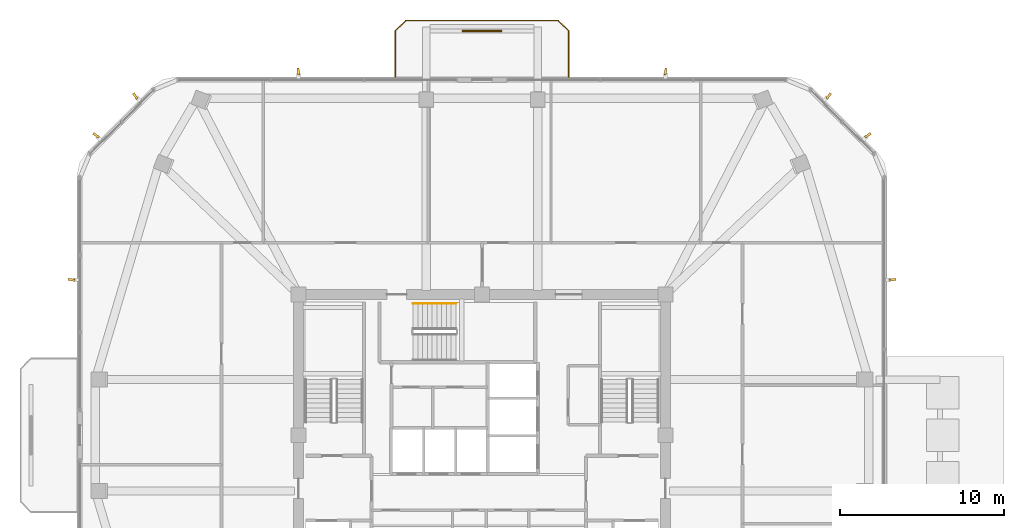
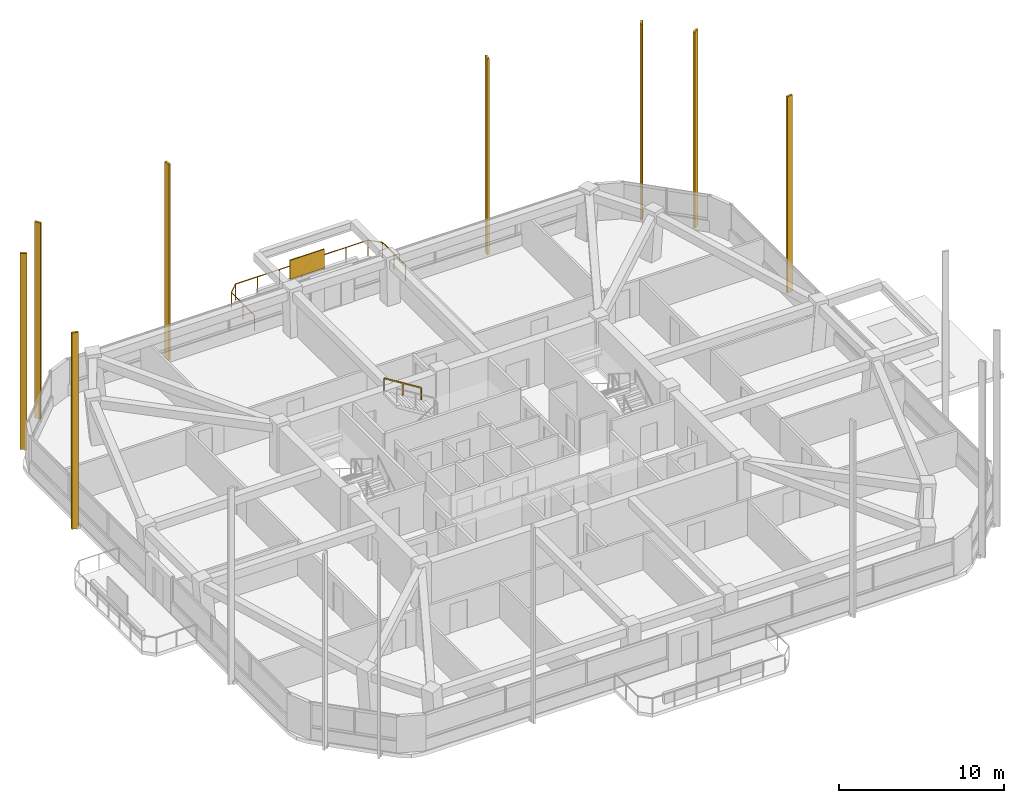
# One storey, part 14 of 14: 9 shading devices, 2 railings.
"""IFC4 building model written with IfcOpenShell, lengths in metres."""

from ifc_helpers import new_model, si_unit, derived_unit, direction, frame, origin, origin_2d, place, context, subcontext, project, spatial, rectangle, extrude, material, layer, layer_set, type_object, element, save


model = new_model("IFC4")

# Units and contexts
model_context = context("Model", 3, precision=1e-05, world=origin(), true_north=direction((0.0, 1.0)))
body_context = subcontext(model_context, "Body", "Model", "MODEL_VIEW")
ifc_project = project(units=[si_unit("LENGTHUNIT", "METRE"), si_unit("AREAUNIT", "SQUARE_METRE"), si_unit("VOLUMEUNIT", "CUBIC_METRE"), si_unit("PLANEANGLEUNIT", "RADIAN"), si_unit("MASSUNIT", "GRAM", prefix="KILO"), derived_unit("THERMALTRANSMITTANCEUNIT", [(si_unit("POWERUNIT", "WATT"), 1), (si_unit("LENGTHUNIT", "METRE"), -2), (si_unit("THERMODYNAMICTEMPERATUREUNIT", "KELVIN"), -1)])], contexts=[model_context])

# Site, building, storey
site_placement = place(None, origin())
site = spatial("IfcSite", under=ifc_project, at=site_placement, CompositionType="ELEMENT")
building_placement = place(site_placement, origin())
building = spatial("IfcBuilding", under=site, at=building_placement, Name="Koralith Skygarden Medical Center", CompositionType="ELEMENT")
storey_placement = place(building_placement, frame((0.0, 0.0, 192.780029296875)))
storey = spatial("IfcBuildingStorey", under=building, at=storey_placement, Name="L49", CompositionType="ELEMENT", Elevation=192.780029296875)

# Shading devices
ifc_material_1 = material(Name="Aluminium 6063-T6", Category="aluminium")
shading_device_type_1 = type_object("IfcShadingDeviceType", Name="Limestone-Clad Solar Storm Fin 420", PredefinedType="USERDEFINED", material=ifc_material_1)
for number, where, z_axis, x_axis, name in (
    (1, (62.053955078125, 35.39404296875, -0.2001953125), (0.0, 0.0, 1.0), (0.987228186291, 0.159312611531, 0.0), "L49 E Harmonic Solar Storm Fin 2"),
    (2, (60.554931640625, 44.208984375, -0.2001953125), (0.0, 0.0, 1.0), (0.824857039439, 0.565341369871, 0.0), "L49 NE Harmonic Solar Storm Fin 1"),
    (3, (58.156982421875, 46.60693359375, -0.2001953125), (0.0, 0.0, 1.0), (0.585424717163, 0.810726773047, 0.0), "L49 NE Harmonic Solar Storm Fin 2"),
    (4, (48.2041015625, 48.10498046875, -0.2001953125), (0.0, 0.0, 1.0), (0.183505289776, 0.983018722418, 0.0), "L49 N Harmonic Solar Storm Fin 1"),
    (5, (25.794921875, 48.10498046875, -0.2001953125), (0.0, 0.0, 1.0), (-0.159312611531, 0.987228186291, 0.0), "L49 N Harmonic Solar Storm Fin 2"),
    (6, (15.842041015625, 46.60595703125, -0.2001953125), (0.0, 0.0, 1.0), (-0.565341369871, 0.824857039439, 0.0), "L49 NW Harmonic Solar Storm Fin 1"),
    (7, (13.444091796875, 44.2080078125, -0.2001953125), (0.0, 0.0, 1.0), (-0.810726773047, 0.585424717163, 0.0), "L49 NW Harmonic Solar Storm Fin 2"),
    (8, (11.946044921875, 35.39404296875, -0.2001953125), (0.0, 0.0, 1.0), (-0.983018722418, 0.183505289776, 0.0), "L49 W Harmonic Solar Storm Fin 1"),
):
    element("IfcShadingDevice", number, at=place(storey_placement, frame(where, z_axis=z_axis, x_axis=x_axis)), inside=storey, type_object=shading_device_type_1, Name=name, ObjectType="SOLAR FIN", PredefinedType="USERDEFINED", context=body_context, shape_type="SweptSolid", body=[
        extrude(rectangle(XDim=0.419921875, YDim=0.139892578125, at=origin_2d()), origin(), (0.0, 0.0, 1.0), 14.550048828125),
    ])

# Railing
ifc_material_2 = material(Name="Steel ASTM A500 Grade C", Category="steel")
railing_type_1 = type_object("IfcRailingType", Name="Outdoor Terrace & Balcony Safety Guardrail 1180", PredefinedType="GUARDRAIL", material=ifc_material_2)
railing_1_placement = place(storey_placement, frame((42.300048828125, 47.77490234375, 0.0)))
element("IfcRailing", 9, at=railing_1_placement, inside=storey, type_object=railing_type_1, Name="L49 N Balcony Perimeter Guardrail", PredefinedType="GUARDRAIL", context=body_context, shape_type="SweptSolid", body=[
    extrude(rectangle(XDim=0.050048828125, YDim=0.050048828125, at=origin_2d()), frame((0.0, 0.001953125, 1.15478515625), z_axis=(0.0, 1.0, 0.0), x_axis=(-1.0, 0.0, 0.0)), (0.0, 0.0, 1.0), 2.796142578125),
    extrude(rectangle(XDim=0.050048828125, YDim=0.050048828125, at=origin_2d()), frame((-0.00146484375, 2.801513671875, 1.15478515625), z_axis=(-0.707106781187, 0.707106781187, 0.0), x_axis=(-0.707106781187, -0.707106781187, 0.0)), (0.0, 0.0, 1.0), 0.91552734375),
    extrude(rectangle(XDim=0.050048828125, YDim=0.050048828125, at=origin_2d()), frame((-0.652099609375, 3.4501953125, 1.15478515625), z_axis=(-1.0, 0.0, 0.0), x_axis=(0.0, -1.0, 0.0)), (0.0, 0.0, 1.0), 9.2958984375),
    extrude(rectangle(XDim=0.050048828125, YDim=0.050048828125, at=origin_2d()), frame((-9.951416015625, 3.44873046875, 1.15478515625), z_axis=(-0.707106781187, -0.707106781187, 0.0), x_axis=(0.707106781187, -0.707106781187, 0.0)), (0.0, 0.0, 1.0), 0.91552734375),
    extrude(rectangle(XDim=0.050048828125, YDim=0.050048828125, at=origin_2d()), frame((-10.60009765625, 2.798095703125, 1.15478515625), z_axis=(0.0, -1.0, 0.0), x_axis=(1.0, 0.0, 0.0)), (0.0, 0.0, 1.0), 2.796142578125),
    extrude(rectangle(XDim=0.0419921875, YDim=0.0419921875, at=origin_2d()), origin(), (0.0, 0.0, 1.0), 1.1279296875),
    extrude(rectangle(XDim=0.0419921875, YDim=0.0419921875, at=origin_2d()), frame((0.0, 1.39990234375, 0.0)), (0.0, 0.0, 1.0), 1.1279296875),
    extrude(rectangle(XDim=0.0419921875, YDim=0.0419921875, at=origin_2d()), frame((0.0, 2.800048828125, 0.0)), (0.0, 0.0, 1.0), 1.1279296875),
    extrude(rectangle(XDim=0.0419921875, YDim=0.0419921875, at=origin_2d()), frame((-0.650146484375, 3.4501953125, 0.0)), (0.0, 0.0, 1.0), 1.1279296875),
    extrude(rectangle(XDim=0.0419921875, YDim=0.0419921875, at=origin_2d()), frame((-2.2001953125, 3.4501953125, 0.0)), (0.0, 0.0, 1.0), 1.1279296875),
    extrude(rectangle(XDim=0.0419921875, YDim=0.0419921875, at=origin_2d()), frame((-3.75, 3.4501953125, 0.0)), (0.0, 0.0, 1.0), 1.1279296875),
    extrude(rectangle(XDim=0.0419921875, YDim=0.0419921875, at=origin_2d()), frame((-5.300048828125, 3.4501953125, 0.0)), (0.0, 0.0, 1.0), 1.1279296875),
    extrude(rectangle(XDim=0.0419921875, YDim=0.0419921875, at=origin_2d()), frame((-6.85009765625, 3.4501953125, 0.0)), (0.0, 0.0, 1.0), 1.1279296875),
    extrude(rectangle(XDim=0.0419921875, YDim=0.0419921875, at=origin_2d()), frame((-8.39990234375, 3.4501953125, 0.0)), (0.0, 0.0, 1.0), 1.1279296875),
    extrude(rectangle(XDim=0.0419921875, YDim=0.0419921875, at=origin_2d()), frame((-9.949951171875, 3.4501953125, 0.0)), (0.0, 0.0, 1.0), 1.1279296875),
    extrude(rectangle(XDim=0.0419921875, YDim=0.0419921875, at=origin_2d()), frame((-10.60009765625, 2.800048828125, 0.0)), (0.0, 0.0, 1.0), 1.1279296875),
    extrude(rectangle(XDim=0.0419921875, YDim=0.0419921875, at=origin_2d()), frame((-10.60009765625, 1.39990234375, 0.0)), (0.0, 0.0, 1.0), 1.1279296875),
    extrude(rectangle(XDim=0.0419921875, YDim=0.0419921875, at=origin_2d()), frame((-10.60009765625, 0.0, 0.0)), (0.0, 0.0, 1.0), 1.1279296875),
])

# Shading device
ifc_layer = layer(ifc_material_1, 0.080078125)
ifc_layer_set = layer_set([ifc_layer], Name="Aluminium 6063-T6")
shading_device_type_2 = type_object("IfcShadingDeviceType", Name="Perforated Biophilic Balcony Trellis Screen", PredefinedType="USERDEFINED", material=ifc_layer_set)
shading_device_placement = place(storey_placement, frame((37.0, 50.574951171875, 0.719970703125), z_axis=(0.0, 0.0, 1.0), x_axis=(1.0, 0.0, 0.0)))
element("IfcShadingDevice", 10, at=shading_device_placement, inside=storey, type_object=shading_device_type_2, Name="L49 N Biophilic Balcony Trellis Screen", ObjectType="HURRICANE SCREEN", PredefinedType="USERDEFINED", context=body_context, shape_type="SweptSolid", body=[
    extrude(rectangle(XDim=2.39990234375, YDim=0.080078125, at=origin_2d()), origin(), (0.0, 0.0, 1.0), 1.39990234375),
])

# Railing
railing_type_2 = type_object("IfcRailingType", Name="Stair Flight Tubular Handrail 920", PredefinedType="HANDRAIL", material=ifc_material_2)
railing_2_placement = place(storey_placement, frame((35.409912109375, 33.949951171875, 1.97998046875)))
element("IfcRailing", 11, at=railing_2_placement, inside=storey, type_object=railing_type_2, Name="L49 ST3 stair handrail 2", PredefinedType="HANDRAIL", context=body_context, shape_type="SweptSolid", body=[
    extrude(rectangle(XDim=0.050048828125, YDim=0.050048828125, at=origin_2d()), frame((-0.001708984375, 0.0, 0.89599609375), z_axis=(-0.849646306263, 0.0, 0.527352969322), x_axis=(0.0, -1.0, 0.0)), (0.0, 0.0, 1.0), 3.067626953125),
    extrude(rectangle(XDim=0.0419921875, YDim=0.0419921875, at=origin_2d()), origin(), (0.0, 0.0, 1.0), 0.867919921875),
    extrude(rectangle(XDim=0.0419921875, YDim=0.0419921875, at=origin_2d()), frame((-1.304931640625, 0.0, 0.81005859375)), (0.0, 0.0, 1.0), 0.867919921875),
    extrude(rectangle(XDim=0.0419921875, YDim=0.0419921875, at=origin_2d()), frame((-2.60986328125, 0.0, 1.619873046875)), (0.0, 0.0, 1.0), 0.867919921875),
])

save(model, "model.ifc")
